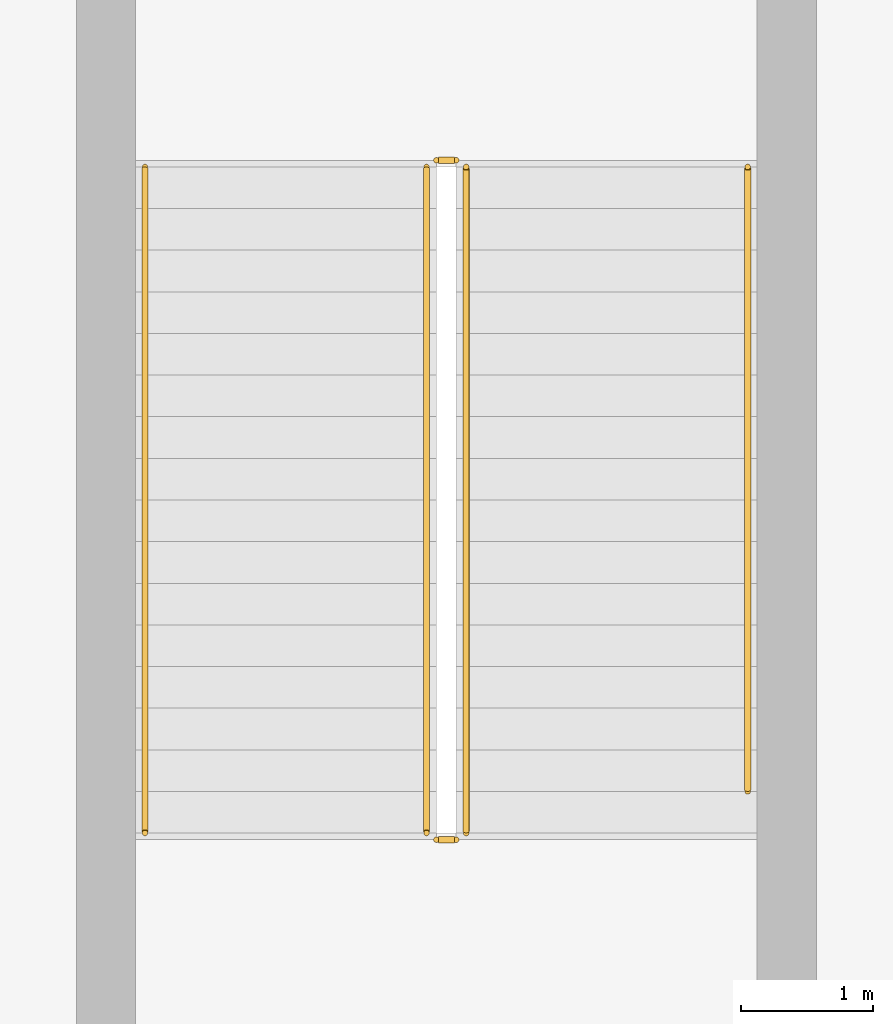
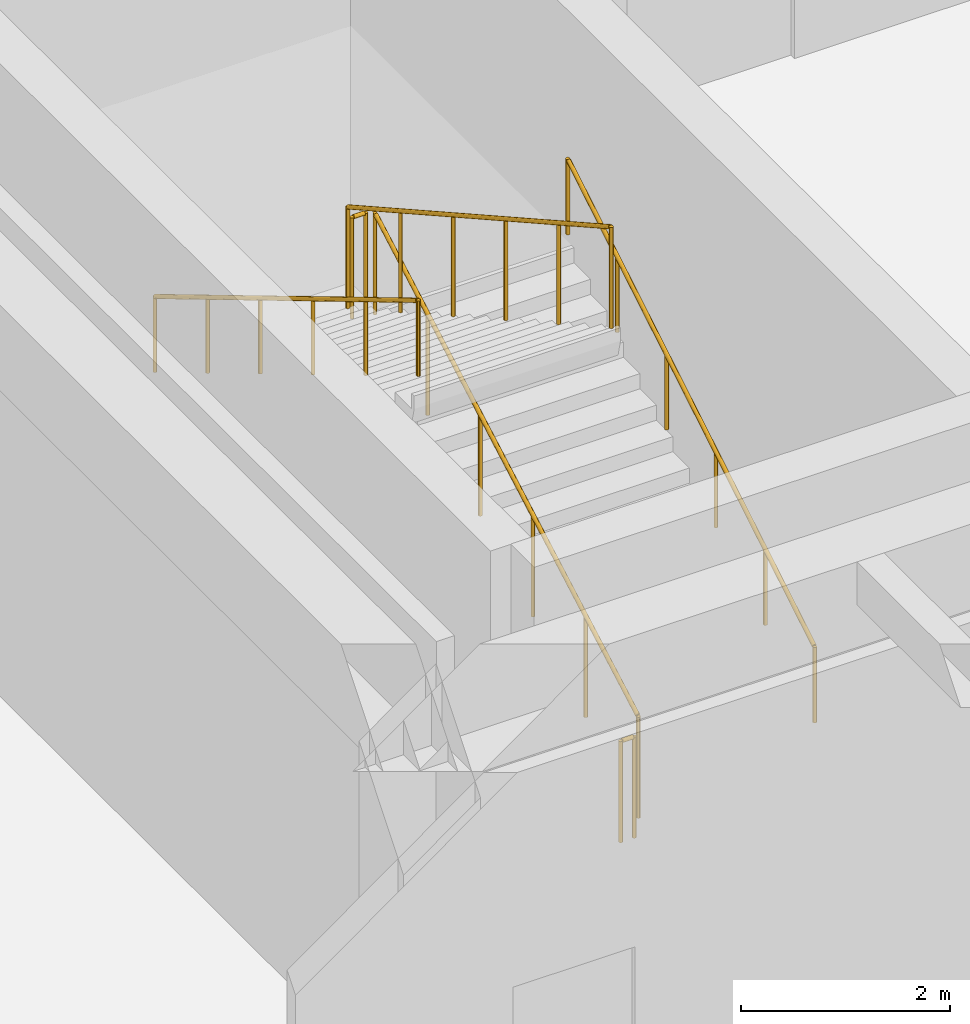
# One storey, part 77 of 87: 6 railings.
"""IFC4 building model written with IfcOpenShell, lengths in metres."""

from ifc_helpers import new_model, si_unit, direction, frame, origin, origin_2d, place, context, subcontext, project, spatial, circle, extrude, material, type_object, element, save


model = new_model("IFC4")

# Units and contexts
model_context = context("Model", 3, precision=1e-05, world=origin(), true_north=direction((0.0, 1.0)))
body_context = subcontext(model_context, "Body", "Model", "MODEL_VIEW")
ifc_project = project(units=[si_unit("LENGTHUNIT", "METRE"), si_unit("AREAUNIT", "SQUARE_METRE"), si_unit("VOLUMEUNIT", "CUBIC_METRE"), si_unit("PLANEANGLEUNIT", "RADIAN"), si_unit("MASSUNIT", "GRAM", prefix="KILO")], contexts=[model_context])

# Site, building, storey
site_placement = place(None, origin())
site = spatial("IfcSite", under=ifc_project, at=site_placement, CompositionType="ELEMENT")
building_placement = place(site_placement, origin())
building = spatial("IfcBuilding", under=site, at=building_placement, Name="Nakhvara Creek Congress Hotel", CompositionType="ELEMENT")
storey_placement = place(building_placement, origin())
storey = spatial("IfcBuildingStorey", under=building, at=storey_placement, Name="L00", CompositionType="ELEMENT", Elevation=0.0)

# Railings
ifc_material = material(Name="Brushed stainless steel 316L", Category="steel")
railing_type_1 = type_object("IfcRailingType", Name="RL-GUARD-1200", PredefinedType="GUARDRAIL", material=ifc_material)
railing_1_placement = place(storey_placement, frame((129.455078125, 32.679931640625, 0.176513671875)))
element("IfcRailing", 1, at=railing_1_placement, inside=storey, type_object=railing_type_1, Name="L00 ST06 stair guard 1", PredefinedType="GUARDRAIL", context=body_context, shape_type="SweptSolid", body=[
    extrude(circle(Radius=0.02392578125, at=origin_2d()), frame((0.0, 0.012939453125, 1.18310546875), z_axis=(0.0, 0.872427454555, 0.488743630688), x_axis=(-1.0, 0.0, 0.0)), (0.0, 0.0, 1.0), 5.74755859375),
    extrude(circle(Radius=0.02099609375, at=origin_2d()), origin(), (0.0, 0.0, 1.0), 1.1806640625),
    extrude(circle(Radius=0.02099609375, at=origin_2d()), frame((0.0, 1.008056640625, 0.564697265625)), (0.0, 0.0, 1.0), 1.1806640625),
    extrude(circle(Radius=0.02099609375, at=origin_2d()), frame((0.0, 2.01611328125, 1.12939453125)), (0.0, 0.0, 1.0), 1.1806640625),
    extrude(circle(Radius=0.02099609375, at=origin_2d()), frame((0.0, 3.02392578125, 1.694091796875)), (0.0, 0.0, 1.0), 1.1806640625),
    extrude(circle(Radius=0.02099609375, at=origin_2d()), frame((0.0, 4.031982421875, 2.2587890625)), (0.0, 0.0, 1.0), 1.1806640625),
    extrude(circle(Radius=0.02099609375, at=origin_2d()), frame((0.0, 5.0400390625, 2.823486328125)), (0.0, 0.0, 1.0), 1.1806640625),
])
railing_2_placement = place(storey_placement, frame((129.3798828125, 37.77001953125, 3.0)))
element("IfcRailing", 2, at=railing_2_placement, inside=storey, type_object=railing_type_1, Name="L00 ST06 stair guard 2", PredefinedType="GUARDRAIL", context=body_context, shape_type="SweptSolid", body=[
    extrude(circle(Radius=0.02392578125, at=origin_2d()), frame((-0.0146484375, 0.0, 1.17578125), z_axis=(-1.0, 0.0, 0.0), x_axis=(0.0, -1.0, 0.0)), (0.0, 0.0, 1.0), 0.12060546875),
    extrude(circle(Radius=0.02099609375, at=origin_2d()), origin(), (0.0, 0.0, 1.0), 1.1806640625),
    extrude(circle(Radius=0.02099609375, at=origin_2d()), frame((-0.14990234375, 0.0, 0.0)), (0.0, 0.0, 1.0), 1.1806640625),
])
railing_3_placement = place(storey_placement, frame((129.155029296875, 37.719970703125, 3.176513671875)))
element("IfcRailing", 3, at=railing_3_placement, inside=storey, type_object=railing_type_1, Name="L00 ST06 stair guard 3", PredefinedType="GUARDRAIL", context=body_context, shape_type="SweptSolid", body=[
    extrude(circle(Radius=0.02392578125, at=origin_2d()), frame((0.0, -0.012939453125, 1.18310546875), z_axis=(0.0, -0.872427454555, 0.488743630688), x_axis=(1.0, 0.0, 0.0)), (0.0, 0.0, 1.0), 5.74755859375),
    extrude(circle(Radius=0.02099609375, at=origin_2d()), origin(), (0.0, 0.0, 1.0), 1.1806640625),
    extrude(circle(Radius=0.02099609375, at=origin_2d()), frame((0.0, -1.008056640625, 0.564697265625)), (0.0, 0.0, 1.0), 1.1806640625),
    extrude(circle(Radius=0.02099609375, at=origin_2d()), frame((0.0, -2.01611328125, 1.12939453125)), (0.0, 0.0, 1.0), 1.1806640625),
    extrude(circle(Radius=0.02099609375, at=origin_2d()), frame((0.0, -3.02392578125, 1.694091796875)), (0.0, 0.0, 1.0), 1.1806640625),
    extrude(circle(Radius=0.02099609375, at=origin_2d()), frame((0.0, -4.031982421875, 2.2587890625)), (0.0, 0.0, 1.0), 1.1806640625),
    extrude(circle(Radius=0.02099609375, at=origin_2d()), frame((0.0, -5.0400390625, 2.823486328125)), (0.0, 0.0, 1.0), 1.1806640625),
])
railing_4_placement = place(storey_placement, frame((129.3798828125, 32.6298828125, 0.0)))
element("IfcRailing", 4, at=railing_4_placement, inside=storey, type_object=railing_type_1, Name="L00 ST06 stair guard 4", PredefinedType="GUARDRAIL", context=body_context, shape_type="SweptSolid", body=[
    extrude(circle(Radius=0.02392578125, at=origin_2d()), frame((-0.0146484375, 0.0, 1.17578125), z_axis=(-1.0, 0.0, 0.0), x_axis=(0.0, -1.0, 0.0)), (0.0, 0.0, 1.0), 0.12060546875),
    extrude(circle(Radius=0.02099609375, at=origin_2d()), origin(), (0.0, 0.0, 1.0), 1.1806640625),
    extrude(circle(Radius=0.02099609375, at=origin_2d()), frame((-0.14990234375, 0.0, 0.0)), (0.0, 0.0, 1.0), 1.1806640625),
])
railing_type_2 = type_object("IfcRailingType", Name="RL-HAND-900", PredefinedType="HANDRAIL", material=ifc_material)
railing_5_placement = place(storey_placement, frame((131.5849609375, 32.9951171875, 0.35302734375)))
element("IfcRailing", 5, at=railing_5_placement, inside=storey, type_object=railing_type_2, Name="L00 ST06 stair handrail 1", PredefinedType="HANDRAIL", context=body_context, shape_type="SweptSolid", body=[
    extrude(circle(Radius=0.02392578125, at=origin_2d()), frame((0.0, 0.0126953125, 0.88330078125), z_axis=(0.0, 0.857528110924, 0.514437108863), x_axis=(-1.0, 0.0, 0.0)), (0.0, 0.0, 1.0), 5.48046875),
    extrude(circle(Radius=0.02099609375, at=origin_2d()), origin(), (0.0, 0.0, 1.0), 0.880615234375),
    extrude(circle(Radius=0.02099609375, at=origin_2d()), frame((0.0, 0.945068359375, 0.56689453125)), (0.0, 0.0, 1.0), 0.880615234375),
    extrude(circle(Radius=0.02099609375, at=origin_2d()), frame((0.0, 1.889892578125, 1.1337890625)), (0.0, 0.0, 1.0), 0.880615234375),
    extrude(circle(Radius=0.02099609375, at=origin_2d()), frame((0.0, 2.8349609375, 1.70068359375)), (0.0, 0.0, 1.0), 0.880615234375),
    extrude(circle(Radius=0.02099609375, at=origin_2d()), frame((0.0, 3.77978515625, 2.267578125)), (0.0, 0.0, 1.0), 0.880615234375),
    extrude(circle(Radius=0.02099609375, at=origin_2d()), frame((0.0, 4.724853515625, 2.83447265625)), (0.0, 0.0, 1.0), 0.880615234375),
])
railing_6_placement = place(storey_placement, frame((127.02490234375, 37.719970703125, 3.176513671875)))
element("IfcRailing", 6, at=railing_6_placement, inside=storey, type_object=railing_type_2, Name="L00 ST06 stair handrail 2", PredefinedType="HANDRAIL", context=body_context, shape_type="SweptSolid", body=[
    extrude(circle(Radius=0.02392578125, at=origin_2d()), frame((0.0, -0.0126953125, 0.88330078125), z_axis=(0.0, -0.858471053773, 0.512862018319), x_axis=(1.0, 0.0, 0.0)), (0.0, 0.0, 1.0), 5.841552734375),
    extrude(circle(Radius=0.02099609375, at=origin_2d()), origin(), (0.0, 0.0, 1.0), 0.880615234375),
    extrude(circle(Radius=0.02099609375, at=origin_2d()), frame((0.0, -1.008056640625, 0.602294921875)), (0.0, 0.0, 1.0), 0.880615234375),
    extrude(circle(Radius=0.02099609375, at=origin_2d()), frame((0.0, -2.01611328125, 1.204345703125)), (0.0, 0.0, 1.0), 0.880615234375),
    extrude(circle(Radius=0.02099609375, at=origin_2d()), frame((0.0, -3.02392578125, 1.806640625)), (0.0, 0.0, 1.0), 0.880615234375),
    extrude(circle(Radius=0.02099609375, at=origin_2d()), frame((0.0, -4.031982421875, 2.40869140625)), (0.0, 0.0, 1.0), 0.880615234375),
    extrude(circle(Radius=0.02099609375, at=origin_2d()), frame((0.0, -5.0400390625, 3.010986328125)), (0.0, 0.0, 1.0), 0.880615234375),
])

save(model, "model.ifc")
